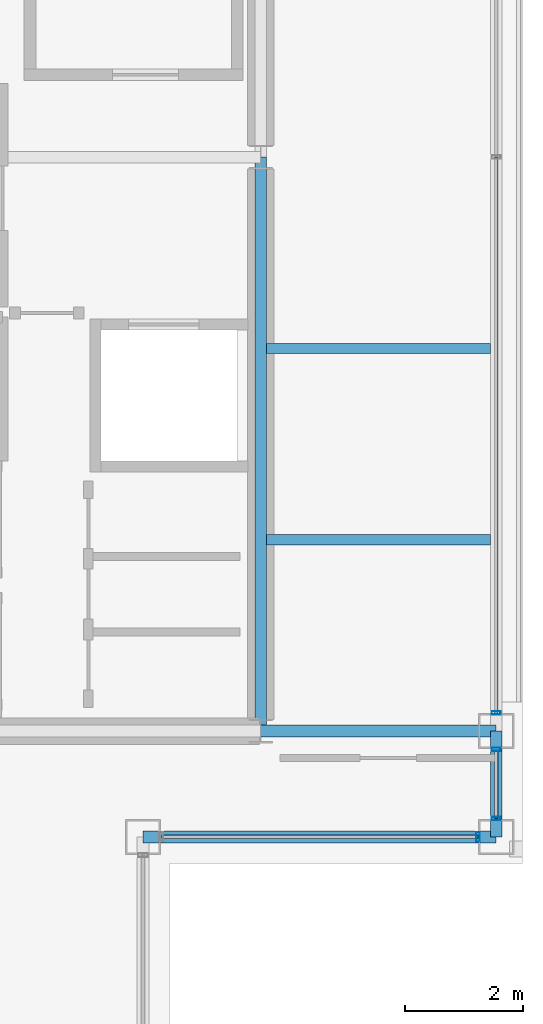
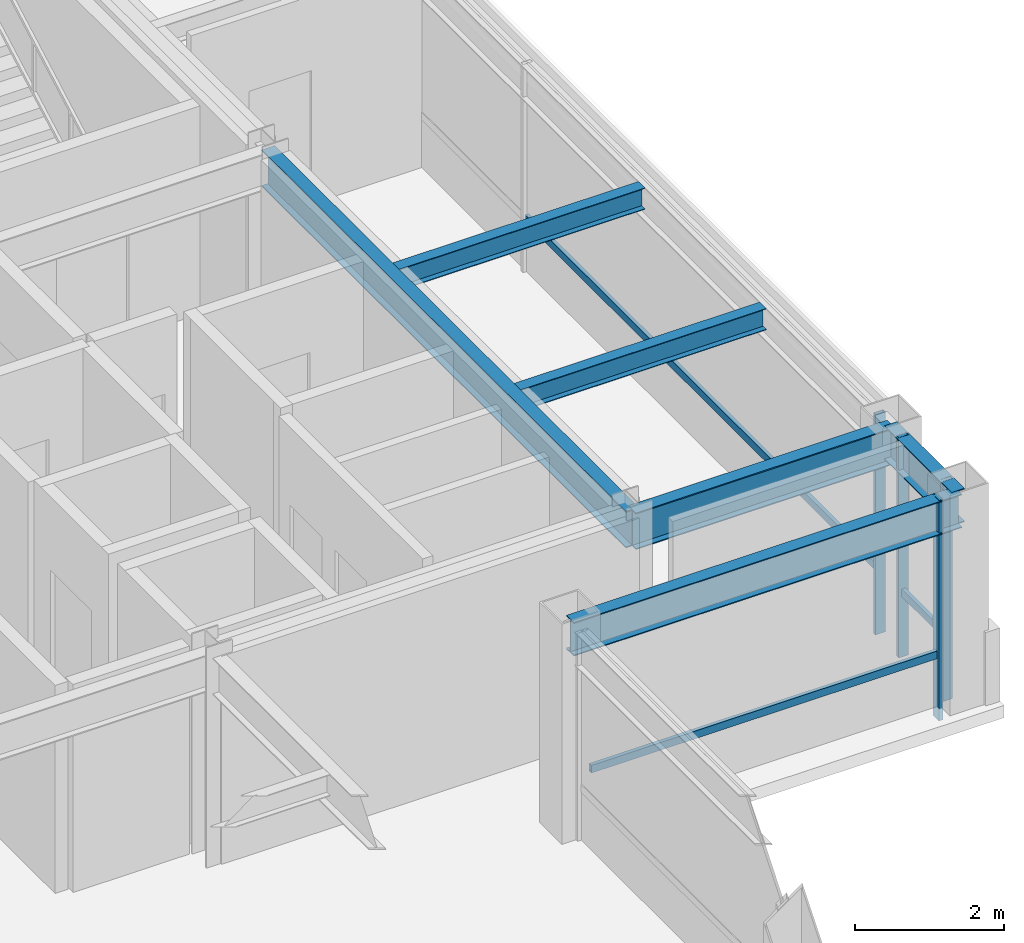
# One storey, part 11 of 22: 7 members, 6 beams, 3 elements without a shape of their own.
"""IFC4 building model written with IfcOpenShell, lengths in metres."""

from ifc_helpers import new_model, si_unit, direction, frame, origin, origin_2d, place, context, subcontext, project, spatial, hollow_rectangle, i_section, extrude, material, layer, layer_set, material_profile, profile_set, type_object, element, aggregate, save


model = new_model("IFC4")

# Units and contexts
model_context = context("Model", 3, precision=1e-05, world=origin(), true_north=direction((0.0, 1.0)))
body_context = subcontext(model_context, "Body", "Model", "MODEL_VIEW")
ifc_project = project(units=[si_unit("LENGTHUNIT", "METRE"), si_unit("AREAUNIT", "SQUARE_METRE"), si_unit("VOLUMEUNIT", "CUBIC_METRE"), si_unit("PLANEANGLEUNIT", "RADIAN"), si_unit("MASSUNIT", "GRAM", prefix="KILO")], contexts=[model_context])

# Site, building, storey
site_placement = place(None, origin())
site = spatial("IfcSite", under=ifc_project, at=site_placement, CompositionType="ELEMENT")
building_placement = place(site_placement, origin())
building = spatial("IfcBuilding", under=site, at=building_placement, Name="Brelmoor Portico Tower", CompositionType="ELEMENT")
storey_placement = place(building_placement, frame((0.0, 0.0, 280.800048828125)))
storey = spatial("IfcBuildingStorey", under=building, at=storey_placement, Name="L74", CompositionType="ELEMENT", Elevation=280.800048828125)

# Beams
ifc_material_1 = material(Name="Steel Q355B", Category="steel")
ifc_material_profile_1 = material_profile(ifc_material_1, i_section(OverallWidth=0.175048828125, OverallDepth=0.35009765625, WebThickness=0.007080078125, FlangeThickness=0.010986328125, at=origin_2d()), Name="HN 350x175x7x11")
ifc_profile_set_1 = profile_set([ifc_material_profile_1], Name="Steel Q355B")
beam_type_1 = type_object("IfcBeamType", Name="BM-JS-350", PredefinedType="JOIST", material=ifc_profile_set_1)
for number, where, z_axis, x_axis, name in (
    (1, (14.64990234375, -6.5, 3.224853515625), (1.0, 0.0, 0.0), (0.0, 1.0, 0.0), "L74 Secondary Wing Joist JS-E11"),
    (2, (14.64990234375, -3.25, 3.224853515625), (1.0, 0.0, 0.0), (0.0, 1.0, 0.0), "L74 Secondary Wing Joist JS-E12"),
):
    element("IfcBeam", number, at=place(storey_placement, frame(where, z_axis=z_axis, x_axis=x_axis)), inside=storey, type_object=beam_type_1, Name=name, PredefinedType="JOIST", context=body_context, shape_type="SweptSolid", body=[
        extrude(i_section(OverallWidth=0.175048828125, OverallDepth=0.35009765625, WebThickness=0.007080078125, FlangeThickness=0.010986328125, at=origin_2d()), origin(), (0.0, 0.0, 1.0), 3.800048828125),
    ])
ifc_material_profile_2 = material_profile(ifc_material_1, i_section(OverallWidth=0.199951171875, OverallDepth=0.60009765625, WebThickness=0.010986328125, FlangeThickness=0.01708984375, at=origin_2d()), Name="HN 600x200x11x17")
ifc_profile_set_2 = profile_set([ifc_material_profile_2], Name="Steel Q355B")
beam_type_2 = type_object("IfcBeamType", Name="BM-PG-600", PredefinedType="BEAM", material=ifc_profile_set_2)
beam_1_placement = place(storey_placement, frame((14.550048828125, -9.75, 3.099853515625), z_axis=(0.0, 1.0, 0.0), x_axis=(-1.0, 0.0, 0.0)))
element("IfcBeam", 3, at=beam_1_placement, inside=storey, type_object=beam_type_2, Name="L74 Primary Floor Girder PG-09", PredefinedType="BEAM", context=body_context, shape_type="SweptSolid", body=[
    extrude(i_section(OverallWidth=0.199951171875, OverallDepth=0.60009765625, WebThickness=0.010986328125, FlangeThickness=0.01708984375, at=origin_2d()), origin(), (0.0, 0.0, 1.0), 9.75),
])
beam_2_placement = place(storey_placement, frame((14.550048828125, -9.75, 3.099853515625), z_axis=(1.0, 0.0, 0.0), x_axis=(0.0, 1.0, 0.0)))
element("IfcBeam", 4, at=beam_2_placement, inside=storey, type_object=beam_type_2, Name="L74 Primary Floor Girder PG-15", PredefinedType="BEAM", context=body_context, shape_type="SweptSolid", body=[
    extrude(i_section(OverallWidth=0.199951171875, OverallDepth=0.60009765625, WebThickness=0.010986328125, FlangeThickness=0.01708984375, at=origin_2d()), origin(), (0.0, 0.0, 1.0), 4.0),
])
ifc_material_profile_3 = material_profile(ifc_material_1, i_section(OverallWidth=0.199951171875, OverallDepth=0.550048828125, WebThickness=0.010009765625, FlangeThickness=0.01611328125, at=origin_2d()), Name="HN 550x200x10x16")
ifc_profile_set_3 = profile_set([ifc_material_profile_3], Name="Steel Q355B")
beam_type_3 = type_object("IfcBeamType", Name="BM-SP-550", PredefinedType="SPANDREL", material=ifc_profile_set_3)
beam_3_placement = place(storey_placement, frame((12.550048828125, -11.550048828125, 3.125), z_axis=(1.0, 0.0, 0.0), x_axis=(0.0, 1.0, 0.0)))
element("IfcBeam", 5, at=beam_3_placement, inside=storey, type_object=beam_type_3, Name="L74 Perimeter Spandrel Beam SP-05", PredefinedType="SPANDREL", context=body_context, shape_type="SweptSolid", body=[
    extrude(i_section(OverallWidth=0.199951171875, OverallDepth=0.550048828125, WebThickness=0.010009765625, FlangeThickness=0.01611328125, at=origin_2d()), origin(), (0.0, 0.0, 1.0), 6.0),
])
beam_4_placement = place(storey_placement, frame((18.550048828125, -11.550048828125, 3.125), z_axis=(0.0, 1.0, 0.0), x_axis=(-1.0, 0.0, 0.0)))
element("IfcBeam", 6, at=beam_4_placement, inside=storey, type_object=beam_type_3, Name="L74 Perimeter Spandrel Beam SP-18", PredefinedType="SPANDREL", context=body_context, shape_type="SweptSolid", body=[
    extrude(i_section(OverallWidth=0.199951171875, OverallDepth=0.550048828125, WebThickness=0.010009765625, FlangeThickness=0.01611328125, at=origin_2d()), origin(), (0.0, 0.0, 1.0), 1.800048828125),
])

# Curtain wall, members
ifc_material_2 = material(Name="Anodised Aluminium Alloy 6063-T6", Category="aluminium")
ifc_layer_1 = layer(ifc_material_2, 0.179931640625)
ifc_layer_set_1 = layer_set([ifc_layer_1], Name="Anodised Aluminium Alloy 6063-T6")
curtain_wall_type_1 = type_object("IfcCurtainWallType", Name="CW-TOWER-Z4", PredefinedType="NOTDEFINED", material=ifc_layer_set_1)
curtain_wall_1_placement = place(storey_placement, origin())
curtain_wall_1 = element("IfcCurtainWall", 7, at=curtain_wall_1_placement, inside=storey, type_object=curtain_wall_type_1, Name="L74 Curtain Wall CW-L74-04-1", PredefinedType="NOTDEFINED")
ifc_material_profile_4 = material_profile(ifc_material_2, hollow_rectangle(XDim=0.06005859375, YDim=0.14990234375, WallThickness=0.00390625, at=origin_2d()), Name="ALU MULLION 60x150")
ifc_profile_set_4 = profile_set([ifc_material_profile_4], Name="Anodised Aluminium Alloy 6063-T6")
member_type_1 = type_object("IfcMemberType", Name="MB-CW-MULL-150", PredefinedType="MULLION", material=ifc_profile_set_4)
member_1_placement = place(storey_placement, frame((18.550048828125, -11.239990234375, -0.199951171875), z_axis=(0.0, 0.0, 1.0), x_axis=(0.0, 1.0, 0.0)))
member_1 = element("IfcMember", 8, at=member_1_placement, type_object=member_type_1, Name="CW-L74-04-1 Mullion 00", PredefinedType="MULLION", context=body_context, shape_type="SweptSolid", body=[
    extrude(hollow_rectangle(XDim=0.06005859375, YDim=0.14990234375, WallThickness=0.00390625, at=origin_2d()), origin(), (0.0, 0.0, 1.0), 3.599853515625),
])
member_2_placement = place(storey_placement, frame((18.550048828125, -10.06005859375, -0.199951171875), z_axis=(0.0, 0.0, 1.0), x_axis=(0.0, 1.0, 0.0)))
member_2 = element("IfcMember", 9, at=member_2_placement, type_object=member_type_1, Name="CW-L74-04-1 Mullion 01", PredefinedType="MULLION", context=body_context, shape_type="SweptSolid", body=[
    extrude(hollow_rectangle(XDim=0.06005859375, YDim=0.14990234375, WallThickness=0.00390625, at=origin_2d()), origin(), (0.0, 0.0, 1.0), 3.599853515625),
])

# Curtain wall, member
curtain_wall_2_placement = place(storey_placement, origin())
curtain_wall_2 = element("IfcCurtainWall", 10, at=curtain_wall_2_placement, inside=storey, type_object=curtain_wall_type_1, Name="L74 Curtain Wall CW-L74-04-2", PredefinedType="NOTDEFINED")
member_3_placement = place(storey_placement, frame((18.550048828125, -9.43994140625, -0.199951171875), z_axis=(0.0, 0.0, 1.0), x_axis=(0.0, 1.0, 0.0)))
member_3 = element("IfcMember", 11, at=member_3_placement, type_object=member_type_1, Name="CW-L74-04-2 Mullion 00", PredefinedType="MULLION", context=body_context, shape_type="SweptSolid", body=[
    extrude(hollow_rectangle(XDim=0.06005859375, YDim=0.14990234375, WallThickness=0.00390625, at=origin_2d()), origin(), (0.0, 0.0, 1.0), 3.599853515625),
])

ifc_layer_2 = layer(ifc_material_2, 0.179931640625)
ifc_layer_set_2 = layer_set([ifc_layer_2], Name="Anodised Aluminium Alloy 6063-T6")
curtain_wall_type_2 = type_object("IfcCurtainWallType", Name="CW-NOTCH-CHAMFER", PredefinedType="NOTDEFINED", material=ifc_layer_set_2)
curtain_wall_3_placement = place(storey_placement, origin())
curtain_wall_3 = element("IfcCurtainWall", 12, at=curtain_wall_3_placement, inside=storey, type_object=curtain_wall_type_2, Name="L74 Curtain Wall CWN-L74-SEH", PredefinedType="NOTDEFINED")
ifc_material_profile_5 = material_profile(ifc_material_2, hollow_rectangle(XDim=0.06494140625, YDim=0.1650390625, WallThickness=0.00390625, at=origin_2d()), Name="ALU MULLION 65x165")
ifc_profile_set_5 = profile_set([ifc_material_profile_5], Name="Anodised Aluminium Alloy 6063-T6")
member_type_2 = type_object("IfcMemberType", Name="MB-CW-MULL-165", PredefinedType="MULLION", material=ifc_profile_set_5)
member_4_placement = place(storey_placement, frame((18.239990234375, -11.550048828125, -0.199951171875), z_axis=(0.0, 0.0, 1.0), x_axis=(1.0, 0.0, 0.0)))
member_4 = element("IfcMember", 13, at=member_4_placement, type_object=member_type_2, Name="CWN-L74-SEH Mullion 01", PredefinedType="MULLION", context=body_context, shape_type="SweptSolid", body=[
    extrude(hollow_rectangle(XDim=0.06494140625, YDim=0.1650390625, WallThickness=0.00390625, at=origin_2d()), origin(), (0.0, 0.0, 1.0), 3.599853515625),
])

# Member
ifc_material_profile_6 = material_profile(ifc_material_2, hollow_rectangle(XDim=0.06005859375, YDim=0.125, WallThickness=0.00341796875, at=origin_2d()), Name="ALU TRANSOM 60x125")
ifc_profile_set_6 = profile_set([ifc_material_profile_6], Name="Anodised Aluminium Alloy 6063-T6")
member_type_3 = type_object("IfcMemberType", Name="MB-CW-TRAN-125", PredefinedType="USERDEFINED", material=ifc_profile_set_6)
member_5_placement = place(storey_placement, frame((18.550048828125, -11.239990234375, 0.849853515625), z_axis=(0.0, 1.0, 0.0), x_axis=(-1.0, 0.0, 0.0)))
member_5 = element("IfcMember", 14, at=member_5_placement, type_object=member_type_3, Name="CW-L74-04-1 Transom 1-00", ObjectType="TRANSOM", PredefinedType="USERDEFINED", context=body_context, shape_type="SweptSolid", body=[
    extrude(hollow_rectangle(XDim=0.06005859375, YDim=0.125, WallThickness=0.00341796875, at=origin_2d()), origin(), (0.0, 0.0, 1.0), 1.179931640625),
])

aggregate(curtain_wall_1, [member_1, member_2, member_5])

member_6_placement = place(storey_placement, frame((18.550048828125, -9.43994140625, 0.849853515625), z_axis=(0.0, 1.0, 0.0), x_axis=(-1.0, 0.0, 0.0)))
member_6 = element("IfcMember", 15, at=member_6_placement, type_object=member_type_3, Name="CW-L74-04-2 Transom 1-00", ObjectType="TRANSOM", PredefinedType="USERDEFINED", context=body_context, shape_type="SweptSolid", body=[
    extrude(hollow_rectangle(XDim=0.06005859375, YDim=0.125, WallThickness=0.00341796875, at=origin_2d()), origin(), (0.0, 0.0, 1.0), 9.43994140625),
])

aggregate(curtain_wall_2, [member_3, member_6])

member_7_placement = place(storey_placement, frame((12.860107421875, -11.550048828125, 0.849853515625), z_axis=(1.0, 0.0, 0.0), x_axis=(0.0, 1.0, 0.0)))
member_7 = element("IfcMember", 16, at=member_7_placement, type_object=member_type_3, Name="CWN-L74-SEH Transom 1-00", ObjectType="TRANSOM", PredefinedType="USERDEFINED", context=body_context, shape_type="SweptSolid", body=[
    extrude(hollow_rectangle(XDim=0.06005859375, YDim=0.125, WallThickness=0.00341796875, at=origin_2d()), origin(), (0.0, 0.0, 1.0), 5.3798828125),
])

aggregate(curtain_wall_3, [member_4, member_7])

save(model, "model.ifc")
